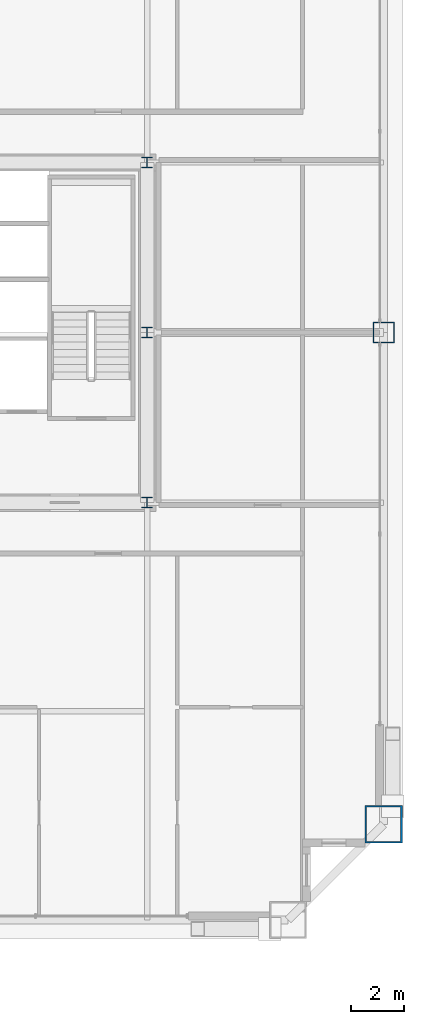
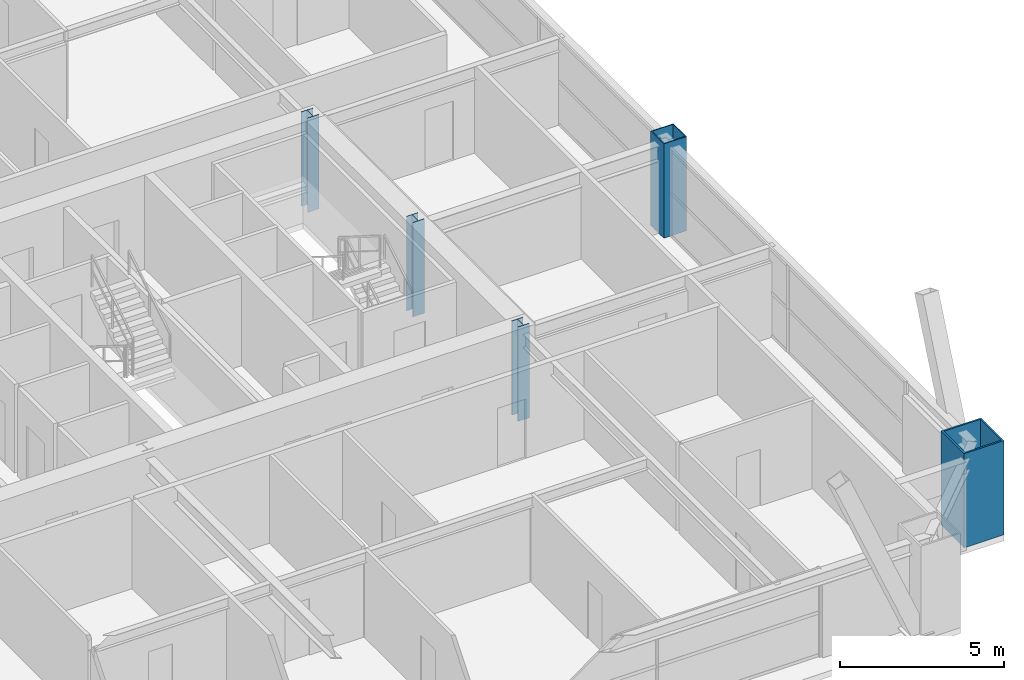
# One storey, part 2 of 45: 5 columns.
"""IFC4 building model written with IfcOpenShell, lengths in metres."""

from ifc_helpers import new_model, si_unit, direction, frame, origin, origin_2d, place, context, subcontext, project, spatial, hollow_rectangle, i_section, extrude, source, transform, mapped, material, material_profile, profile_set, type_object, element, save


model = new_model("IFC4")

# Units and contexts
model_context = context("Model", 3, precision=1e-05, world=origin(), true_north=direction((0.0, 1.0)))
body_context = subcontext(model_context, "Body", "Model", "MODEL_VIEW")
ifc_project = project(units=[si_unit("LENGTHUNIT", "METRE"), si_unit("AREAUNIT", "SQUARE_METRE"), si_unit("VOLUMEUNIT", "CUBIC_METRE"), si_unit("PLANEANGLEUNIT", "RADIAN"), si_unit("MASSUNIT", "GRAM", prefix="KILO"), si_unit("THERMODYNAMICTEMPERATUREUNIT", "KELVIN"), si_unit("POWERUNIT", "WATT")], contexts=[model_context])

# Site, building, storey
site_placement = place(None, origin())
site = spatial("IfcSite", under=ifc_project, at=site_placement, CompositionType="ELEMENT")
building_placement = place(site_placement, origin())
building = spatial("IfcBuilding", under=site, at=building_placement, Name="Yuzanri Waterfront Tower", CompositionType="ELEMENT")
storey_placement = place(building_placement, frame((0.0, 0.0, 212.5)))
storey = spatial("IfcBuildingStorey", under=building, at=storey_placement, Name="L56", CompositionType="ELEMENT", Elevation=212.5)

# Columns
ifc_material_1 = material(Name="Steel Q355B", Category="steel")
ifc_material_profile_1 = material_profile(ifc_material_1, i_section(OverallWidth=0.39990234375, OverallDepth=0.39990234375, WebThickness=0.012939453125, FlangeThickness=0.02099609375, at=origin_2d()), Name="HW 400x400x13x21")
ifc_profile_set_1 = profile_set([ifc_material_profile_1], Name="Steel Q355B")
column_type_1 = type_object("IfcColumnType", Name="Core Post Q355B HW 400x400x13x21", PredefinedType="COLUMN", material=ifc_profile_set_1)
shared_shape_1 = source(origin(), body_context, "Body", "SweptSolid", [
    extrude(i_section(OverallWidth=0.39990234375, OverallDepth=0.39990234375, WebThickness=0.012939453125, FlangeThickness=0.02099609375, at=origin_2d()), origin(), (0.0, 0.0, 1.0), 3.5),
])
for number, where, z_axis, x_axis, name in (
    (1, (50.199951171875, 19.39990234375, 0.0), (0.0, 0.0, 1.0), (1.0, 0.0, 0.0), "L56 Core Boundary Column CP3"),
    (2, (50.199951171875, 25.800048828125, 0.0), (0.0, 0.0, 1.0), (1.0, 0.0, 0.0), "L56 Core Boundary Column CP5"),
    (3, (50.199951171875, 32.199951171875, 0.0), (0.0, 0.0, 1.0), (1.0, 0.0, 0.0), "L56 Core Boundary Column CP8"),
):
    element("IfcColumn", number, at=place(storey_placement, frame(where, z_axis=z_axis, x_axis=x_axis)), inside=storey, type_object=column_type_1, Name=name, PredefinedType="COLUMN", context=body_context, shape_type="MappedRepresentation", body=[
        mapped(shared_shape_1, transform((0.0, 0.0, 0.0), scale=1.0)),
    ])
ifc_material_2 = material(Name="Steel Q420GJC", Category="steel")
ifc_material_profile_2 = material_profile(ifc_material_2, hollow_rectangle(XDim=1.39990234375, YDim=1.39990234375, WallThickness=0.06005859375, at=origin_2d()), Name="RHS 1400x1400x60")
ifc_profile_set_2 = profile_set([ifc_material_profile_2], Name="Steel Q420GJC")
column_type_2 = type_object("IfcColumnType", Name="Mega Column Q420GJC RHS 1400x1400x60", PredefinedType="COLUMN", material=ifc_profile_set_2)
shared_shape_2 = source(origin(), body_context, "Body", "SweptSolid", [
    extrude(hollow_rectangle(XDim=1.39990234375, YDim=1.39990234375, WallThickness=0.06005859375, at=origin_2d()), origin(), (0.0, 0.0, 1.0), 3.5),
])
column_1_placement = place(storey_placement, frame((59.10009765625, 7.300048828125, 0.0), z_axis=(0.0, 0.0, 1.0), x_axis=(1.0, 0.0, 0.0)))
element("IfcColumn", 4, at=column_1_placement, inside=storey, type_object=column_type_2, Name="L56 Perimeter Mega Column E1", PredefinedType="COLUMN", context=body_context, shape_type="MappedRepresentation", body=[
    mapped(shared_shape_2, transform((0.0, 0.0, 0.0), scale=1.0)),
])
ifc_material_3 = material(Name="Steel Q390GJC", Category="steel")
ifc_material_profile_3 = material_profile(ifc_material_3, hollow_rectangle(XDim=0.800048828125, YDim=0.800048828125, WallThickness=0.035888671875, at=origin_2d()), Name="RHS 800x800x36")
ifc_profile_set_3 = profile_set([ifc_material_profile_3], Name="Steel Q390GJC")
column_type_3 = type_object("IfcColumnType", Name="Frame Column Q390GJC RHS 800x800x36", PredefinedType="COLUMN", material=ifc_profile_set_3)
shared_shape_3 = source(origin(), body_context, "Body", "SweptSolid", [
    extrude(hollow_rectangle(XDim=0.800048828125, YDim=0.800048828125, WallThickness=0.035888671875, at=origin_2d()), origin(), (0.0, 0.0, 1.0), 3.5),
])
column_2_placement = place(storey_placement, frame((59.10009765625, 25.800048828125, 0.0), z_axis=(0.0, 0.0, 1.0), x_axis=(1.0, 0.0, 0.0)))
element("IfcColumn", 5, at=column_2_placement, inside=storey, type_object=column_type_3, Name="L56 Perimeter Frame Column E2", PredefinedType="COLUMN", context=body_context, shape_type="MappedRepresentation", body=[
    mapped(shared_shape_3, transform((0.0, 0.0, 0.0), scale=1.0)),
])

save(model, "model.ifc")
